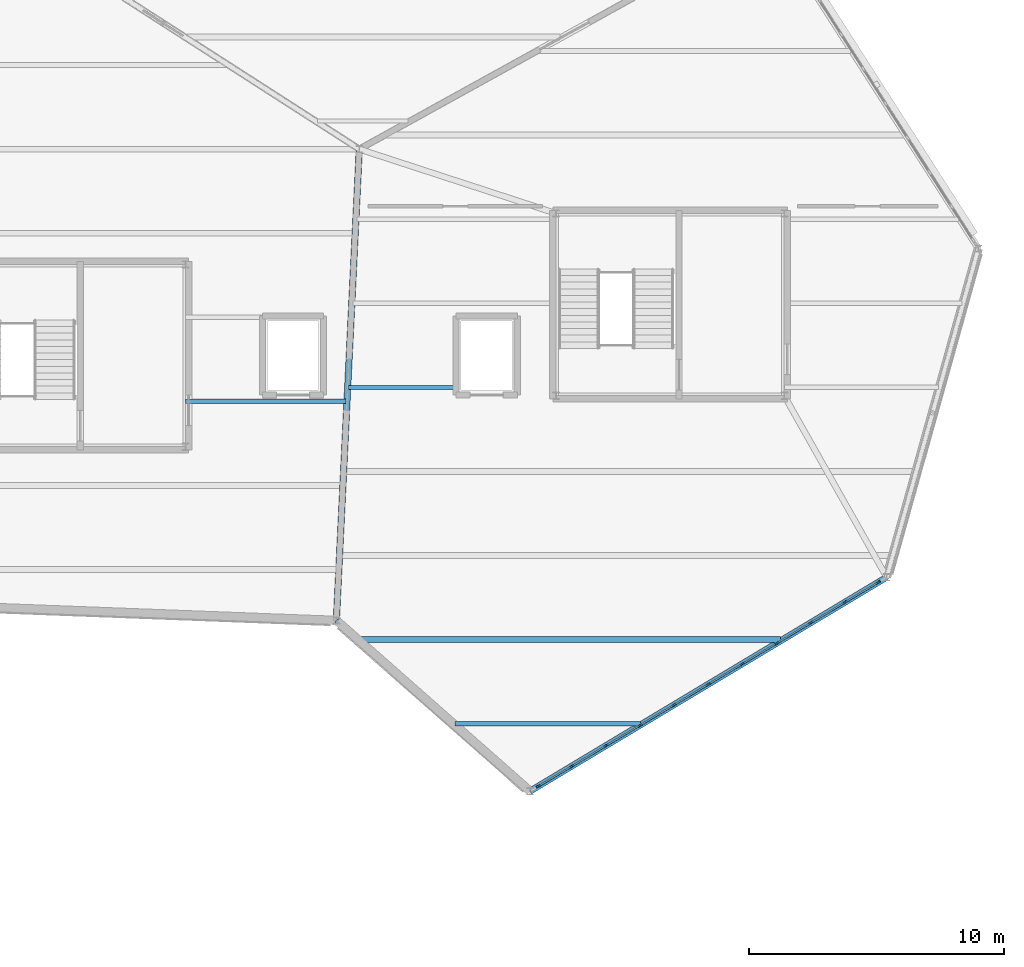
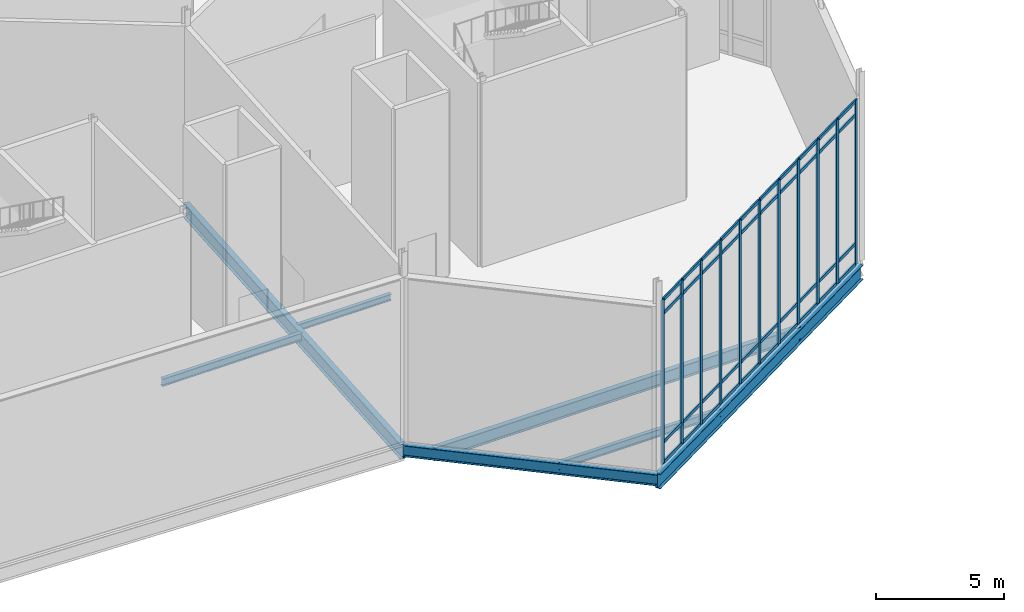
# One storey, part 33 of 66: 51 members, 7 beams, 1 element without a shape of its own.
"""IFC4 building model written with IfcOpenShell, lengths in metres."""

from ifc_helpers import new_model, si_unit, direction, frame, origin, origin_2d, place, context, subcontext, project, spatial, rectangle, i_section, extrude, material, material_profile, profile_set, type_object, element, aggregate, save


model = new_model("IFC4")

# Units and contexts
model_context = context("Model", 3, precision=1e-05, world=origin(), true_north=direction((0.0, 1.0)))
body_context = subcontext(model_context, "Body", "Model", "MODEL_VIEW")
ifc_project = project(units=[si_unit("LENGTHUNIT", "METRE"), si_unit("AREAUNIT", "SQUARE_METRE"), si_unit("VOLUMEUNIT", "CUBIC_METRE"), si_unit("PLANEANGLEUNIT", "RADIAN"), si_unit("MASSUNIT", "GRAM", prefix="KILO")], contexts=[model_context])

# Site, building, storey
site_placement = place(None, origin())
site = spatial("IfcSite", under=ifc_project, at=site_placement, CompositionType="ELEMENT")
building_placement = place(site_placement, origin())
building = spatial("IfcBuilding", under=site, at=building_placement, Name="Tameran Prism Museum", CompositionType="ELEMENT")
storey_placement = place(building_placement, frame((0.0, 0.0, 19.800048828125)))
storey = spatial("IfcBuildingStorey", under=building, at=storey_placement, Name="L04", CompositionType="ELEMENT", Elevation=19.800048828125)

# Beams
ifc_material_1 = material(Name="Steel Grade 300PLUS (300 MPa)", Category="steel")
ifc_material_profile_1 = material_profile(ifc_material_1, i_section(OverallWidth=0.166015625, OverallDepth=0.306884765625, WebThickness=0.006591796875, FlangeThickness=0.01171875, FilletRadius=0.011474609375, at=origin_2d()))
ifc_profile_set_1 = profile_set([ifc_material_profile_1])
beam_type_1 = type_object("IfcBeamType", Name="BM-J310A", PredefinedType="JOIST", material=ifc_profile_set_1)
beam_1_placement = place(storey_placement, frame((118.385009765625, 79.75, -0.3935546875), z_axis=(1.0, 0.0, 0.0), x_axis=(0.0, 1.0, 0.0)))
element("IfcBeam", 1, at=beam_1_placement, inside=storey, type_object=beam_type_1, Name="Floor Beam BM-1211", PredefinedType="JOIST", context=body_context, shape_type="SweptSolid", body=[
    extrude(i_section(OverallWidth=0.166015625, OverallDepth=0.306884765625, WebThickness=0.006591796875, FlangeThickness=0.01171875, FilletRadius=0.011474609375, at=origin_2d()), origin(), (0.0, 0.0, 1.0), 4.235107421875),
])
ifc_material_2 = material(Name="Steel Grade 300PLUS (300 MPa)", Category="steel")
ifc_material_profile_2 = material_profile(ifc_material_2, i_section(OverallWidth=0.172119140625, OverallDepth=0.35888671875, WebThickness=0.008056640625, FlangeThickness=0.012939453125, FilletRadius=0.011474609375, at=origin_2d()))
ifc_profile_set_2 = profile_set([ifc_material_profile_2])
beam_type_2 = type_object("IfcBeamType", Name="BM-J360A", PredefinedType="JOIST", material=ifc_profile_set_2)
beam_2_placement = place(storey_placement, frame((111.97998046875, 79.199951171875, -0.41943359375), z_axis=(1.0, 0.0, 0.0), x_axis=(0.0, 1.0, 0.0)))
element("IfcBeam", 2, at=beam_2_placement, inside=storey, type_object=beam_type_2, Name="Floor Beam BM-1200", PredefinedType="JOIST", context=body_context, shape_type="SweptSolid", body=[
    extrude(i_section(OverallWidth=0.172119140625, OverallDepth=0.35888671875, WebThickness=0.008056640625, FlangeThickness=0.012939453125, FilletRadius=0.011474609375, at=origin_2d()), origin(), (0.0, 0.0, 1.0), 6.298095703125),
])
beam_3_placement = place(storey_placement, frame((122.554931640625, 66.550048828125, -0.41943359375), z_axis=(1.0, 0.0, 0.0), x_axis=(0.0, 1.0, 0.0)))
element("IfcBeam", 3, at=beam_3_placement, inside=storey, type_object=beam_type_2, Name="Floor Beam BM-1207", PredefinedType="JOIST", context=body_context, shape_type="SweptSolid", body=[
    extrude(i_section(OverallWidth=0.172119140625, OverallDepth=0.35888671875, WebThickness=0.008056640625, FlangeThickness=0.012939453125, FilletRadius=0.011474609375, at=origin_2d()), origin(), (0.0, 0.0, 1.0), 7.2841796875),
])
ifc_material_3 = material(Name="Steel Grade 300PLUS (300 MPa)", Category="steel")
ifc_material_profile_3 = material_profile(ifc_material_3, i_section(OverallWidth=0.208984375, OverallDepth=0.532958984375, WebThickness=0.01025390625, FlangeThickness=0.015625, FilletRadius=0.013916015625, at=origin_2d()))
ifc_profile_set_3 = profile_set([ifc_material_profile_3])
beam_type_3 = type_object("IfcBeamType", Name="BM-SP530A", PredefinedType="SPANDREL", material=ifc_profile_set_3)
beam_4_placement = place(storey_placement, frame((117.89990234375, 70.60009765625, -0.506591796875), z_axis=(0.750120474088, -0.661301197908, 0.0), x_axis=(0.661301197908, 0.750120474088, 0.0)))
element("IfcBeam", 4, at=beam_4_placement, inside=storey, type_object=beam_type_3, Name="Perimeter Spandrel SP-1145", PredefinedType="SPANDREL", context=body_context, shape_type="SweptSolid", body=[
    extrude(i_section(OverallWidth=0.208984375, OverallDepth=0.532958984375, WebThickness=0.01025390625, FlangeThickness=0.015625, FilletRadius=0.013916015625, at=origin_2d()), origin(), (0.0, 0.0, 1.0), 10.1318359375),
])
ifc_material_4 = material(Name="Steel Grade 350 (350 MPa)", Category="steel")
ifc_material_profile_4 = material_profile(ifc_material_4, i_section(OverallWidth=0.25, OverallDepth=0.699951171875, WebThickness=0.010009765625, FlangeThickness=0.02001953125, at=origin_2d()))
ifc_profile_set_4 = profile_set([ifc_material_profile_4])
beam_type_4 = type_object("IfcBeamType", Name="BM-SP700", PredefinedType="SPANDREL", material=ifc_profile_set_4)
beam_5_placement = place(storey_placement, frame((117.89990234375, 70.60009765625, -0.590087890625), z_axis=(0.048599072515, 0.998818366947, 0.0), x_axis=(-0.998818366947, 0.048599072515, 0.0)))
element("IfcBeam", 5, at=beam_5_placement, inside=storey, type_object=beam_type_4, Name="Perimeter Spandrel SP-1141", PredefinedType="SPANDREL", context=body_context, shape_type="SweptSolid", body=[
    extrude(i_section(OverallWidth=0.25, OverallDepth=0.699951171875, WebThickness=0.010009765625, FlangeThickness=0.02001953125, at=origin_2d()), origin(), (0.0, 0.0, 1.0), 18.52197265625),
])
beam_6_placement = place(storey_placement, frame((125.5, 63.89990234375, -0.590087890625), z_axis=(0.857488967429, 0.51450235251, 0.0), x_axis=(-0.51450235251, 0.857488967429, 0.0)))
element("IfcBeam", 6, at=beam_6_placement, inside=storey, type_object=beam_type_4, Name="Perimeter Spandrel SP-1146", PredefinedType="SPANDREL", context=body_context, shape_type="SweptSolid", body=[
    extrude(i_section(OverallWidth=0.25, OverallDepth=0.699951171875, WebThickness=0.010009765625, FlangeThickness=0.02001953125, at=origin_2d()), origin(), (0.0, 0.0, 1.0), 16.32666015625),
])
ifc_material_5 = material(Name="Steel Grade 300PLUS (300 MPa)", Category="steel")
ifc_material_profile_5 = material_profile(ifc_material_5, i_section(OverallWidth=0.22802734375, OverallDepth=0.60693359375, WebThickness=0.01123046875, FlangeThickness=0.017333984375, FilletRadius=0.013916015625, at=origin_2d()))
ifc_profile_set_5 = profile_set([ifc_material_profile_5])
beam_type_5 = type_object("IfcBeamType", Name="BM-UB610B", PredefinedType="BEAM", material=ifc_profile_set_5)
beam_7_placement = place(storey_placement, frame((118.81103515625, 69.85009765625, -0.54345703125), z_axis=(1.0, 0.0, 0.0), x_axis=(0.0, 1.0, 0.0)))
element("IfcBeam", 7, at=beam_7_placement, inside=storey, type_object=beam_type_5, Name="Floor Beam BM-1208", PredefinedType="BEAM", context=body_context, shape_type="SweptSolid", body=[
    extrude(i_section(OverallWidth=0.22802734375, OverallDepth=0.60693359375, WebThickness=0.01123046875, FlangeThickness=0.017333984375, FilletRadius=0.013916015625, at=origin_2d()), origin(), (0.0, 0.0, 1.0), 16.528076171875),
])

# Curtain wall, members
ifc_material_6 = material(Name="Anodised Aluminium 6063-T6 and Cyclone Solar Glass", Category="aluminium")
curtain_wall_type = type_object("IfcCurtainWallType", Name="CW-FAC-1563x782", PredefinedType="USERDEFINED", material=ifc_material_6)
curtain_wall_placement = place(storey_placement, origin())
curtain_wall = element("IfcCurtainWall", 8, at=curtain_wall_placement, inside=storey, type_object=curtain_wall_type, Name="Unitised Curtain Wall CW-152", ObjectType="UNITISED CURTAIN WALL", PredefinedType="USERDEFINED")
ifc_material_7 = material(Name="Anodised Aluminium Alloy 6063-T6", Category="aluminium")
ifc_material_profile_6 = material_profile(ifc_material_7, rectangle(XDim=0.070068359375, YDim=0.179931640625, at=origin_2d()))
ifc_profile_set_6 = profile_set([ifc_material_profile_6])
member_type_1 = type_object("IfcMemberType", Name="CW-MUL-B", PredefinedType="MULLION", material=ifc_profile_set_6)
member_1_placement = place(storey_placement, frame((139.169921875, 72.10205078125, 0.0), z_axis=(0.0, 0.0, 1.0), x_axis=(0.514495755426, -0.857492925713, 0.0)))
member_1 = element("IfcMember", 9, at=member_1_placement, type_object=member_type_1, Name="CW-152 mullion 1", PredefinedType="MULLION", context=body_context, shape_type="SweptSolid", body=[
    extrude(rectangle(XDim=0.070068359375, YDim=0.179931640625, at=origin_2d()), origin(), (0.0, 0.0, 1.0), 7.820068359375),
])
member_2_placement = place(storey_placement, frame((137.860107421875, 71.31591796875, 0.0), z_axis=(0.0, 0.0, 1.0), x_axis=(0.514495755426, -0.857492925713, 0.0)))
member_2 = element("IfcMember", 10, at=member_2_placement, type_object=member_type_1, Name="CW-152 mullion 2", PredefinedType="MULLION", context=body_context, shape_type="SweptSolid", body=[
    extrude(rectangle(XDim=0.070068359375, YDim=0.179931640625, at=origin_2d()), origin(), (0.0, 0.0, 1.0), 7.820068359375),
])
member_3_placement = place(storey_placement, frame((136.52001953125, 70.511962890625, 0.0), z_axis=(0.0, 0.0, 1.0), x_axis=(0.514495755426, -0.857492925713, 0.0)))
member_3 = element("IfcMember", 11, at=member_3_placement, type_object=member_type_1, Name="CW-152 mullion 3", PredefinedType="MULLION", context=body_context, shape_type="SweptSolid", body=[
    extrude(rectangle(XDim=0.070068359375, YDim=0.179931640625, at=origin_2d()), origin(), (0.0, 0.0, 1.0), 7.820068359375),
])
member_4_placement = place(storey_placement, frame((135.179931640625, 69.7080078125, 0.0), z_axis=(0.0, 0.0, 1.0), x_axis=(0.514495755426, -0.857492925713, 0.0)))
member_4 = element("IfcMember", 12, at=member_4_placement, type_object=member_type_1, Name="CW-152 mullion 4", PredefinedType="MULLION", context=body_context, shape_type="SweptSolid", body=[
    extrude(rectangle(XDim=0.070068359375, YDim=0.179931640625, at=origin_2d()), origin(), (0.0, 0.0, 1.0), 7.820068359375),
])
member_5_placement = place(storey_placement, frame((133.840087890625, 68.904052734375, 0.0), z_axis=(0.0, 0.0, 1.0), x_axis=(0.514495755426, -0.857492925713, 0.0)))
member_5 = element("IfcMember", 13, at=member_5_placement, type_object=member_type_1, Name="CW-152 mullion 5", PredefinedType="MULLION", context=body_context, shape_type="SweptSolid", body=[
    extrude(rectangle(XDim=0.070068359375, YDim=0.179931640625, at=origin_2d()), origin(), (0.0, 0.0, 1.0), 7.820068359375),
])
member_6_placement = place(storey_placement, frame((132.5, 68.10009765625, 0.0), z_axis=(0.0, 0.0, 1.0), x_axis=(0.514495755426, -0.857492925713, 0.0)))
member_6 = element("IfcMember", 14, at=member_6_placement, type_object=member_type_1, Name="CW-152 mullion 6", PredefinedType="MULLION", context=body_context, shape_type="SweptSolid", body=[
    extrude(rectangle(XDim=0.070068359375, YDim=0.179931640625, at=origin_2d()), origin(), (0.0, 0.0, 1.0), 7.820068359375),
])
member_7_placement = place(storey_placement, frame((131.159912109375, 67.2958984375, 0.0), z_axis=(0.0, 0.0, 1.0), x_axis=(0.514495755426, -0.857492925713, 0.0)))
member_7 = element("IfcMember", 15, at=member_7_placement, type_object=member_type_1, Name="CW-152 mullion 7", PredefinedType="MULLION", context=body_context, shape_type="SweptSolid", body=[
    extrude(rectangle(XDim=0.070068359375, YDim=0.179931640625, at=origin_2d()), origin(), (0.0, 0.0, 1.0), 7.820068359375),
])
member_8_placement = place(storey_placement, frame((129.820068359375, 66.491943359375, 0.0), z_axis=(0.0, 0.0, 1.0), x_axis=(0.514495755426, -0.857492925713, 0.0)))
member_8 = element("IfcMember", 16, at=member_8_placement, type_object=member_type_1, Name="CW-152 mullion 8", PredefinedType="MULLION", context=body_context, shape_type="SweptSolid", body=[
    extrude(rectangle(XDim=0.070068359375, YDim=0.179931640625, at=origin_2d()), origin(), (0.0, 0.0, 1.0), 7.820068359375),
])
member_9_placement = place(storey_placement, frame((128.47998046875, 65.68798828125, 0.0), z_axis=(0.0, 0.0, 1.0), x_axis=(0.514495755426, -0.857492925713, 0.0)))
member_9 = element("IfcMember", 17, at=member_9_placement, type_object=member_type_1, Name="CW-152 mullion 9", PredefinedType="MULLION", context=body_context, shape_type="SweptSolid", body=[
    extrude(rectangle(XDim=0.070068359375, YDim=0.179931640625, at=origin_2d()), origin(), (0.0, 0.0, 1.0), 7.820068359375),
])
member_10_placement = place(storey_placement, frame((127.139892578125, 64.884033203125, 0.0), z_axis=(0.0, 0.0, 1.0), x_axis=(0.514495755426, -0.857492925713, 0.0)))
member_10 = element("IfcMember", 18, at=member_10_placement, type_object=member_type_1, Name="CW-152 mullion 10", PredefinedType="MULLION", context=body_context, shape_type="SweptSolid", body=[
    extrude(rectangle(XDim=0.070068359375, YDim=0.179931640625, at=origin_2d()), origin(), (0.0, 0.0, 1.0), 7.820068359375),
])
member_11_placement = place(storey_placement, frame((125.830078125, 64.097900390625, 0.0), z_axis=(0.0, 0.0, 1.0), x_axis=(0.514495755426, -0.857492925713, 0.0)))
member_11 = element("IfcMember", 19, at=member_11_placement, type_object=member_type_1, Name="CW-152 mullion 11", PredefinedType="MULLION", context=body_context, shape_type="SweptSolid", body=[
    extrude(rectangle(XDim=0.070068359375, YDim=0.179931640625, at=origin_2d()), origin(), (0.0, 0.0, 1.0), 7.820068359375),
])
ifc_material_8 = material(Name="Anodised Aluminium Alloy 6063-T6", Category="aluminium")
ifc_material_profile_7 = material_profile(ifc_material_8, rectangle(XDim=0.070068359375, YDim=0.155029296875, at=origin_2d()))
ifc_profile_set_7 = profile_set([ifc_material_profile_7])
member_type_2 = type_object("IfcMemberType", Name="CW-TRN-B", PredefinedType="USERDEFINED", material=ifc_profile_set_7)
member_12_placement = place(storey_placement, frame((139.139892578125, 72.083984375, 0.034912109375), z_axis=(-0.857492925713, -0.514495755428, 0.0), x_axis=(0.514495755428, -0.857492925713, 0.0)))
member_12 = element("IfcMember", 20, at=member_12_placement, type_object=member_type_2, Name="CW-152 transom 1.1", ObjectType="TRANSOM", PredefinedType="USERDEFINED", context=body_context, shape_type="SweptSolid", body=[
    extrude(rectangle(XDim=0.070068359375, YDim=0.155029296875, at=origin_2d()), origin(), (0.0, 0.0, 1.0), 1.457763671875),
])
member_13_placement = place(storey_placement, frame((139.139892578125, 72.083984375, 1.0), z_axis=(-0.857492925713, -0.514495755428, 0.0), x_axis=(0.514495755428, -0.857492925713, 0.0)))
member_13 = element("IfcMember", 21, at=member_13_placement, type_object=member_type_2, Name="CW-152 transom 1.2", ObjectType="TRANSOM", PredefinedType="USERDEFINED", context=body_context, shape_type="SweptSolid", body=[
    extrude(rectangle(XDim=0.070068359375, YDim=0.155029296875, at=origin_2d()), origin(), (0.0, 0.0, 1.0), 1.457763671875),
])
member_14_placement = place(storey_placement, frame((139.139892578125, 72.083984375, 7.139892578125), z_axis=(-0.857492925713, -0.514495755428, 0.0), x_axis=(0.514495755428, -0.857492925713, 0.0)))
member_14 = element("IfcMember", 22, at=member_14_placement, type_object=member_type_2, Name="CW-152 transom 1.3", ObjectType="TRANSOM", PredefinedType="USERDEFINED", context=body_context, shape_type="SweptSolid", body=[
    extrude(rectangle(XDim=0.070068359375, YDim=0.155029296875, at=origin_2d()), origin(), (0.0, 0.0, 1.0), 1.457763671875),
])
member_15_placement = place(storey_placement, frame((139.139892578125, 72.083984375, 7.784912109375), z_axis=(-0.857492925713, -0.514495755428, 0.0), x_axis=(0.514495755428, -0.857492925713, 0.0)))
member_15 = element("IfcMember", 23, at=member_15_placement, type_object=member_type_2, Name="CW-152 transom 1.4", ObjectType="TRANSOM", PredefinedType="USERDEFINED", context=body_context, shape_type="SweptSolid", body=[
    extrude(rectangle(XDim=0.070068359375, YDim=0.155029296875, at=origin_2d()), origin(), (0.0, 0.0, 1.0), 1.457763671875),
])
member_16_placement = place(storey_placement, frame((137.830078125, 71.298095703125, 0.034912109375), z_axis=(-0.857478494731, -0.514519806299, 0.0), x_axis=(0.514519806299, -0.857478494731, 0.0)))
member_16 = element("IfcMember", 24, at=member_16_placement, type_object=member_type_2, Name="CW-152 transom 2.1", ObjectType="TRANSOM", PredefinedType="USERDEFINED", context=body_context, shape_type="SweptSolid", body=[
    extrude(rectangle(XDim=0.070068359375, YDim=0.155029296875, at=origin_2d()), origin(), (0.0, 0.0, 1.0), 1.49267578125),
])
member_17_placement = place(storey_placement, frame((137.830078125, 71.298095703125, 1.0), z_axis=(-0.857478494731, -0.514519806299, 0.0), x_axis=(0.514519806299, -0.857478494731, 0.0)))
member_17 = element("IfcMember", 25, at=member_17_placement, type_object=member_type_2, Name="CW-152 transom 2.2", ObjectType="TRANSOM", PredefinedType="USERDEFINED", context=body_context, shape_type="SweptSolid", body=[
    extrude(rectangle(XDim=0.070068359375, YDim=0.155029296875, at=origin_2d()), origin(), (0.0, 0.0, 1.0), 1.49267578125),
])
member_18_placement = place(storey_placement, frame((137.830078125, 71.298095703125, 7.139892578125), z_axis=(-0.857478494731, -0.514519806299, 0.0), x_axis=(0.514519806299, -0.857478494731, 0.0)))
member_18 = element("IfcMember", 26, at=member_18_placement, type_object=member_type_2, Name="CW-152 transom 2.3", ObjectType="TRANSOM", PredefinedType="USERDEFINED", context=body_context, shape_type="SweptSolid", body=[
    extrude(rectangle(XDim=0.070068359375, YDim=0.155029296875, at=origin_2d()), origin(), (0.0, 0.0, 1.0), 1.49267578125),
])
member_19_placement = place(storey_placement, frame((137.830078125, 71.298095703125, 7.784912109375), z_axis=(-0.857478494731, -0.514519806299, 0.0), x_axis=(0.514519806299, -0.857478494731, 0.0)))
member_19 = element("IfcMember", 27, at=member_19_placement, type_object=member_type_2, Name="CW-152 transom 2.4", ObjectType="TRANSOM", PredefinedType="USERDEFINED", context=body_context, shape_type="SweptSolid", body=[
    extrude(rectangle(XDim=0.070068359375, YDim=0.155029296875, at=origin_2d()), origin(), (0.0, 0.0, 1.0), 1.49267578125),
])
member_20_placement = place(storey_placement, frame((136.489990234375, 70.493896484375, 0.034912109375), z_axis=(-0.857550647749, -0.5143995398, 0.0), x_axis=(0.5143995398, -0.857550647749, 0.0)))
member_20 = element("IfcMember", 28, at=member_20_placement, type_object=member_type_2, Name="CW-152 transom 3.1", ObjectType="TRANSOM", PredefinedType="USERDEFINED", context=body_context, shape_type="SweptSolid", body=[
    extrude(rectangle(XDim=0.070068359375, YDim=0.155029296875, at=origin_2d()), origin(), (0.0, 0.0, 1.0), 1.49267578125),
])
member_21_placement = place(storey_placement, frame((136.489990234375, 70.493896484375, 1.0), z_axis=(-0.857550647749, -0.5143995398, 0.0), x_axis=(0.5143995398, -0.857550647749, 0.0)))
member_21 = element("IfcMember", 29, at=member_21_placement, type_object=member_type_2, Name="CW-152 transom 3.2", ObjectType="TRANSOM", PredefinedType="USERDEFINED", context=body_context, shape_type="SweptSolid", body=[
    extrude(rectangle(XDim=0.070068359375, YDim=0.155029296875, at=origin_2d()), origin(), (0.0, 0.0, 1.0), 1.49267578125),
])
member_22_placement = place(storey_placement, frame((136.489990234375, 70.493896484375, 7.139892578125), z_axis=(-0.857550647749, -0.5143995398, 0.0), x_axis=(0.5143995398, -0.857550647749, 0.0)))
member_22 = element("IfcMember", 30, at=member_22_placement, type_object=member_type_2, Name="CW-152 transom 3.3", ObjectType="TRANSOM", PredefinedType="USERDEFINED", context=body_context, shape_type="SweptSolid", body=[
    extrude(rectangle(XDim=0.070068359375, YDim=0.155029296875, at=origin_2d()), origin(), (0.0, 0.0, 1.0), 1.49267578125),
])
member_23_placement = place(storey_placement, frame((136.489990234375, 70.493896484375, 7.784912109375), z_axis=(-0.857550647749, -0.5143995398, 0.0), x_axis=(0.5143995398, -0.857550647749, 0.0)))
member_23 = element("IfcMember", 31, at=member_23_placement, type_object=member_type_2, Name="CW-152 transom 3.4", ObjectType="TRANSOM", PredefinedType="USERDEFINED", context=body_context, shape_type="SweptSolid", body=[
    extrude(rectangle(XDim=0.070068359375, YDim=0.155029296875, at=origin_2d()), origin(), (0.0, 0.0, 1.0), 1.49267578125),
])
member_24_placement = place(storey_placement, frame((135.14990234375, 69.68994140625, 0.034912109375), z_axis=(-0.857507359258, -0.514471698754, 0.0), x_axis=(0.514471698754, -0.857507359258, 0.0)))
member_24 = element("IfcMember", 32, at=member_24_placement, type_object=member_type_2, Name="CW-152 transom 4.1", ObjectType="TRANSOM", PredefinedType="USERDEFINED", context=body_context, shape_type="SweptSolid", body=[
    extrude(rectangle(XDim=0.070068359375, YDim=0.155029296875, at=origin_2d()), origin(), (0.0, 0.0, 1.0), 1.492431640625),
])
member_25_placement = place(storey_placement, frame((135.14990234375, 69.68994140625, 1.0), z_axis=(-0.857507359258, -0.514471698754, 0.0), x_axis=(0.514471698754, -0.857507359258, 0.0)))
member_25 = element("IfcMember", 33, at=member_25_placement, type_object=member_type_2, Name="CW-152 transom 4.2", ObjectType="TRANSOM", PredefinedType="USERDEFINED", context=body_context, shape_type="SweptSolid", body=[
    extrude(rectangle(XDim=0.070068359375, YDim=0.155029296875, at=origin_2d()), origin(), (0.0, 0.0, 1.0), 1.492431640625),
])
member_26_placement = place(storey_placement, frame((135.14990234375, 69.68994140625, 7.139892578125), z_axis=(-0.857507359258, -0.514471698754, 0.0), x_axis=(0.514471698754, -0.857507359258, 0.0)))
member_26 = element("IfcMember", 34, at=member_26_placement, type_object=member_type_2, Name="CW-152 transom 4.3", ObjectType="TRANSOM", PredefinedType="USERDEFINED", context=body_context, shape_type="SweptSolid", body=[
    extrude(rectangle(XDim=0.070068359375, YDim=0.155029296875, at=origin_2d()), origin(), (0.0, 0.0, 1.0), 1.492431640625),
])
member_27_placement = place(storey_placement, frame((135.14990234375, 69.68994140625, 7.784912109375), z_axis=(-0.857507359258, -0.514471698754, 0.0), x_axis=(0.514471698754, -0.857507359258, 0.0)))
member_27 = element("IfcMember", 35, at=member_27_placement, type_object=member_type_2, Name="CW-152 transom 4.4", ObjectType="TRANSOM", PredefinedType="USERDEFINED", context=body_context, shape_type="SweptSolid", body=[
    extrude(rectangle(XDim=0.070068359375, YDim=0.155029296875, at=origin_2d()), origin(), (0.0, 0.0, 1.0), 1.492431640625),
])
member_28_placement = place(storey_placement, frame((133.81005859375, 68.885986328125, 0.034912109375), z_axis=(-0.857478494731, -0.514519806299, 0.0), x_axis=(0.514519806299, -0.857478494731, 0.0)))
member_28 = element("IfcMember", 36, at=member_28_placement, type_object=member_type_2, Name="CW-152 transom 5.1", ObjectType="TRANSOM", PredefinedType="USERDEFINED", context=body_context, shape_type="SweptSolid", body=[
    extrude(rectangle(XDim=0.070068359375, YDim=0.155029296875, at=origin_2d()), origin(), (0.0, 0.0, 1.0), 1.49267578125),
])
member_29_placement = place(storey_placement, frame((133.81005859375, 68.885986328125, 1.0), z_axis=(-0.857478494731, -0.514519806299, 0.0), x_axis=(0.514519806299, -0.857478494731, 0.0)))
member_29 = element("IfcMember", 37, at=member_29_placement, type_object=member_type_2, Name="CW-152 transom 5.2", ObjectType="TRANSOM", PredefinedType="USERDEFINED", context=body_context, shape_type="SweptSolid", body=[
    extrude(rectangle(XDim=0.070068359375, YDim=0.155029296875, at=origin_2d()), origin(), (0.0, 0.0, 1.0), 1.49267578125),
])
member_30_placement = place(storey_placement, frame((133.81005859375, 68.885986328125, 7.139892578125), z_axis=(-0.857478494731, -0.514519806299, 0.0), x_axis=(0.514519806299, -0.857478494731, 0.0)))
member_30 = element("IfcMember", 38, at=member_30_placement, type_object=member_type_2, Name="CW-152 transom 5.3", ObjectType="TRANSOM", PredefinedType="USERDEFINED", context=body_context, shape_type="SweptSolid", body=[
    extrude(rectangle(XDim=0.070068359375, YDim=0.155029296875, at=origin_2d()), origin(), (0.0, 0.0, 1.0), 1.49267578125),
])
member_31_placement = place(storey_placement, frame((133.81005859375, 68.885986328125, 7.784912109375), z_axis=(-0.857478494731, -0.514519806299, 0.0), x_axis=(0.514519806299, -0.857478494731, 0.0)))
member_31 = element("IfcMember", 39, at=member_31_placement, type_object=member_type_2, Name="CW-152 transom 5.4", ObjectType="TRANSOM", PredefinedType="USERDEFINED", context=body_context, shape_type="SweptSolid", body=[
    extrude(rectangle(XDim=0.070068359375, YDim=0.155029296875, at=origin_2d()), origin(), (0.0, 0.0, 1.0), 1.49267578125),
])
member_32_placement = place(storey_placement, frame((132.469970703125, 68.08203125, 0.034912109375), z_axis=(-0.857478494731, -0.514519806299, 0.0), x_axis=(0.514519806299, -0.857478494731, 0.0)))
member_32 = element("IfcMember", 40, at=member_32_placement, type_object=member_type_2, Name="CW-152 transom 6.1", ObjectType="TRANSOM", PredefinedType="USERDEFINED", context=body_context, shape_type="SweptSolid", body=[
    extrude(rectangle(XDim=0.070068359375, YDim=0.155029296875, at=origin_2d()), origin(), (0.0, 0.0, 1.0), 1.49267578125),
])
member_33_placement = place(storey_placement, frame((132.469970703125, 68.08203125, 1.0), z_axis=(-0.857478494731, -0.514519806299, 0.0), x_axis=(0.514519806299, -0.857478494731, 0.0)))
member_33 = element("IfcMember", 41, at=member_33_placement, type_object=member_type_2, Name="CW-152 transom 6.2", ObjectType="TRANSOM", PredefinedType="USERDEFINED", context=body_context, shape_type="SweptSolid", body=[
    extrude(rectangle(XDim=0.070068359375, YDim=0.155029296875, at=origin_2d()), origin(), (0.0, 0.0, 1.0), 1.49267578125),
])
member_34_placement = place(storey_placement, frame((132.469970703125, 68.08203125, 7.139892578125), z_axis=(-0.857478494731, -0.514519806299, 0.0), x_axis=(0.514519806299, -0.857478494731, 0.0)))
member_34 = element("IfcMember", 42, at=member_34_placement, type_object=member_type_2, Name="CW-152 transom 6.3", ObjectType="TRANSOM", PredefinedType="USERDEFINED", context=body_context, shape_type="SweptSolid", body=[
    extrude(rectangle(XDim=0.070068359375, YDim=0.155029296875, at=origin_2d()), origin(), (0.0, 0.0, 1.0), 1.49267578125),
])
member_35_placement = place(storey_placement, frame((132.469970703125, 68.08203125, 7.784912109375), z_axis=(-0.857478494731, -0.514519806299, 0.0), x_axis=(0.514519806299, -0.857478494731, 0.0)))
member_35 = element("IfcMember", 43, at=member_35_placement, type_object=member_type_2, Name="CW-152 transom 6.4", ObjectType="TRANSOM", PredefinedType="USERDEFINED", context=body_context, shape_type="SweptSolid", body=[
    extrude(rectangle(XDim=0.070068359375, YDim=0.155029296875, at=origin_2d()), origin(), (0.0, 0.0, 1.0), 1.49267578125),
])
member_36_placement = place(storey_placement, frame((131.1298828125, 67.278076171875, 0.034912109375), z_axis=(-0.857435189642, -0.514591969976, 0.0), x_axis=(0.514591969976, -0.857435189642, 0.0)))
member_36 = element("IfcMember", 44, at=member_36_placement, type_object=member_type_2, Name="CW-152 transom 7.1", ObjectType="TRANSOM", PredefinedType="USERDEFINED", context=body_context, shape_type="SweptSolid", body=[
    extrude(rectangle(XDim=0.070068359375, YDim=0.155029296875, at=origin_2d()), origin(), (0.0, 0.0, 1.0), 1.49267578125),
])
member_37_placement = place(storey_placement, frame((131.1298828125, 67.278076171875, 1.0), z_axis=(-0.857435189642, -0.514591969976, 0.0), x_axis=(0.514591969976, -0.857435189642, 0.0)))
member_37 = element("IfcMember", 45, at=member_37_placement, type_object=member_type_2, Name="CW-152 transom 7.2", ObjectType="TRANSOM", PredefinedType="USERDEFINED", context=body_context, shape_type="SweptSolid", body=[
    extrude(rectangle(XDim=0.070068359375, YDim=0.155029296875, at=origin_2d()), origin(), (0.0, 0.0, 1.0), 1.49267578125),
])
member_38_placement = place(storey_placement, frame((131.1298828125, 67.278076171875, 7.139892578125), z_axis=(-0.857435189642, -0.514591969976, 0.0), x_axis=(0.514591969976, -0.857435189642, 0.0)))
member_38 = element("IfcMember", 46, at=member_38_placement, type_object=member_type_2, Name="CW-152 transom 7.3", ObjectType="TRANSOM", PredefinedType="USERDEFINED", context=body_context, shape_type="SweptSolid", body=[
    extrude(rectangle(XDim=0.070068359375, YDim=0.155029296875, at=origin_2d()), origin(), (0.0, 0.0, 1.0), 1.49267578125),
])
member_39_placement = place(storey_placement, frame((131.1298828125, 67.278076171875, 7.784912109375), z_axis=(-0.857435189642, -0.514591969976, 0.0), x_axis=(0.514591969976, -0.857435189642, 0.0)))
member_39 = element("IfcMember", 47, at=member_39_placement, type_object=member_type_2, Name="CW-152 transom 7.4", ObjectType="TRANSOM", PredefinedType="USERDEFINED", context=body_context, shape_type="SweptSolid", body=[
    extrude(rectangle(XDim=0.070068359375, YDim=0.155029296875, at=origin_2d()), origin(), (0.0, 0.0, 1.0), 1.49267578125),
])
member_40_placement = place(storey_placement, frame((129.7900390625, 66.473876953125, 0.034912109375), z_axis=(-0.857550647749, -0.5143995398, 0.0), x_axis=(0.5143995398, -0.857550647749, 0.0)))
member_40 = element("IfcMember", 48, at=member_40_placement, type_object=member_type_2, Name="CW-152 transom 8.1", ObjectType="TRANSOM", PredefinedType="USERDEFINED", context=body_context, shape_type="SweptSolid", body=[
    extrude(rectangle(XDim=0.070068359375, YDim=0.155029296875, at=origin_2d()), origin(), (0.0, 0.0, 1.0), 1.49267578125),
])
member_41_placement = place(storey_placement, frame((129.7900390625, 66.473876953125, 1.0), z_axis=(-0.857550647749, -0.5143995398, 0.0), x_axis=(0.5143995398, -0.857550647749, 0.0)))
member_41 = element("IfcMember", 49, at=member_41_placement, type_object=member_type_2, Name="CW-152 transom 8.2", ObjectType="TRANSOM", PredefinedType="USERDEFINED", context=body_context, shape_type="SweptSolid", body=[
    extrude(rectangle(XDim=0.070068359375, YDim=0.155029296875, at=origin_2d()), origin(), (0.0, 0.0, 1.0), 1.49267578125),
])
member_42_placement = place(storey_placement, frame((129.7900390625, 66.473876953125, 7.139892578125), z_axis=(-0.857550647749, -0.5143995398, 0.0), x_axis=(0.5143995398, -0.857550647749, 0.0)))
member_42 = element("IfcMember", 50, at=member_42_placement, type_object=member_type_2, Name="CW-152 transom 8.3", ObjectType="TRANSOM", PredefinedType="USERDEFINED", context=body_context, shape_type="SweptSolid", body=[
    extrude(rectangle(XDim=0.070068359375, YDim=0.155029296875, at=origin_2d()), origin(), (0.0, 0.0, 1.0), 1.49267578125),
])
member_43_placement = place(storey_placement, frame((129.7900390625, 66.473876953125, 7.784912109375), z_axis=(-0.857550647749, -0.5143995398, 0.0), x_axis=(0.5143995398, -0.857550647749, 0.0)))
member_43 = element("IfcMember", 51, at=member_43_placement, type_object=member_type_2, Name="CW-152 transom 8.4", ObjectType="TRANSOM", PredefinedType="USERDEFINED", context=body_context, shape_type="SweptSolid", body=[
    extrude(rectangle(XDim=0.070068359375, YDim=0.155029296875, at=origin_2d()), origin(), (0.0, 0.0, 1.0), 1.49267578125),
])
member_44_placement = place(storey_placement, frame((128.449951171875, 65.669921875, 0.034912109375), z_axis=(-0.857550647749, -0.5143995398, 0.0), x_axis=(0.5143995398, -0.857550647749, 0.0)))
member_44 = element("IfcMember", 52, at=member_44_placement, type_object=member_type_2, Name="CW-152 transom 9.1", ObjectType="TRANSOM", PredefinedType="USERDEFINED", context=body_context, shape_type="SweptSolid", body=[
    extrude(rectangle(XDim=0.070068359375, YDim=0.155029296875, at=origin_2d()), origin(), (0.0, 0.0, 1.0), 1.49267578125),
])
member_45_placement = place(storey_placement, frame((128.449951171875, 65.669921875, 1.0), z_axis=(-0.857550647749, -0.5143995398, 0.0), x_axis=(0.5143995398, -0.857550647749, 0.0)))
member_45 = element("IfcMember", 53, at=member_45_placement, type_object=member_type_2, Name="CW-152 transom 9.2", ObjectType="TRANSOM", PredefinedType="USERDEFINED", context=body_context, shape_type="SweptSolid", body=[
    extrude(rectangle(XDim=0.070068359375, YDim=0.155029296875, at=origin_2d()), origin(), (0.0, 0.0, 1.0), 1.49267578125),
])
member_46_placement = place(storey_placement, frame((128.449951171875, 65.669921875, 7.139892578125), z_axis=(-0.857550647749, -0.5143995398, 0.0), x_axis=(0.5143995398, -0.857550647749, 0.0)))
member_46 = element("IfcMember", 54, at=member_46_placement, type_object=member_type_2, Name="CW-152 transom 9.3", ObjectType="TRANSOM", PredefinedType="USERDEFINED", context=body_context, shape_type="SweptSolid", body=[
    extrude(rectangle(XDim=0.070068359375, YDim=0.155029296875, at=origin_2d()), origin(), (0.0, 0.0, 1.0), 1.49267578125),
])
member_47_placement = place(storey_placement, frame((128.449951171875, 65.669921875, 7.784912109375), z_axis=(-0.857550647749, -0.5143995398, 0.0), x_axis=(0.5143995398, -0.857550647749, 0.0)))
member_47 = element("IfcMember", 55, at=member_47_placement, type_object=member_type_2, Name="CW-152 transom 9.4", ObjectType="TRANSOM", PredefinedType="USERDEFINED", context=body_context, shape_type="SweptSolid", body=[
    extrude(rectangle(XDim=0.070068359375, YDim=0.155029296875, at=origin_2d()), origin(), (0.0, 0.0, 1.0), 1.49267578125),
])
member_48_placement = place(storey_placement, frame((127.110107421875, 64.865966796875, 0.034912109375), z_axis=(-0.857492925713, -0.514495755428, 0.0), x_axis=(0.514495755428, -0.857492925713, 0.0)))
member_48 = element("IfcMember", 56, at=member_48_placement, type_object=member_type_2, Name="CW-152 transom 10.1", ObjectType="TRANSOM", PredefinedType="USERDEFINED", context=body_context, shape_type="SweptSolid", body=[
    extrude(rectangle(XDim=0.070068359375, YDim=0.155029296875, at=origin_2d()), origin(), (0.0, 0.0, 1.0), 1.457763671875),
])
member_49_placement = place(storey_placement, frame((127.110107421875, 64.865966796875, 1.0), z_axis=(-0.857492925713, -0.514495755428, 0.0), x_axis=(0.514495755428, -0.857492925713, 0.0)))
member_49 = element("IfcMember", 57, at=member_49_placement, type_object=member_type_2, Name="CW-152 transom 10.2", ObjectType="TRANSOM", PredefinedType="USERDEFINED", context=body_context, shape_type="SweptSolid", body=[
    extrude(rectangle(XDim=0.070068359375, YDim=0.155029296875, at=origin_2d()), origin(), (0.0, 0.0, 1.0), 1.457763671875),
])
member_50_placement = place(storey_placement, frame((127.110107421875, 64.865966796875, 7.139892578125), z_axis=(-0.857492925713, -0.514495755428, 0.0), x_axis=(0.514495755428, -0.857492925713, 0.0)))
member_50 = element("IfcMember", 58, at=member_50_placement, type_object=member_type_2, Name="CW-152 transom 10.3", ObjectType="TRANSOM", PredefinedType="USERDEFINED", context=body_context, shape_type="SweptSolid", body=[
    extrude(rectangle(XDim=0.070068359375, YDim=0.155029296875, at=origin_2d()), origin(), (0.0, 0.0, 1.0), 1.457763671875),
])
member_51_placement = place(storey_placement, frame((127.110107421875, 64.865966796875, 7.784912109375), z_axis=(-0.857492925713, -0.514495755428, 0.0), x_axis=(0.514495755428, -0.857492925713, 0.0)))
member_51 = element("IfcMember", 59, at=member_51_placement, type_object=member_type_2, Name="CW-152 transom 10.4", ObjectType="TRANSOM", PredefinedType="USERDEFINED", context=body_context, shape_type="SweptSolid", body=[
    extrude(rectangle(XDim=0.070068359375, YDim=0.155029296875, at=origin_2d()), origin(), (0.0, 0.0, 1.0), 1.457763671875),
])
aggregate(curtain_wall, [member_1, member_2, member_3, member_4, member_5, member_6, member_7, member_8, member_9, member_10, member_11, member_12, member_13, member_14, member_15, member_16, member_17, member_18, member_19, member_20, member_21, member_22, member_23, member_24, member_25, member_26, member_27, member_28, member_29, member_30, member_31, member_32, member_33, member_34, member_35, member_36, member_37, member_38, member_39, member_40, member_41, member_42, member_43, member_44, member_45, member_46, member_47, member_48, member_49, member_50, member_51])

save(model, "model.ifc")
